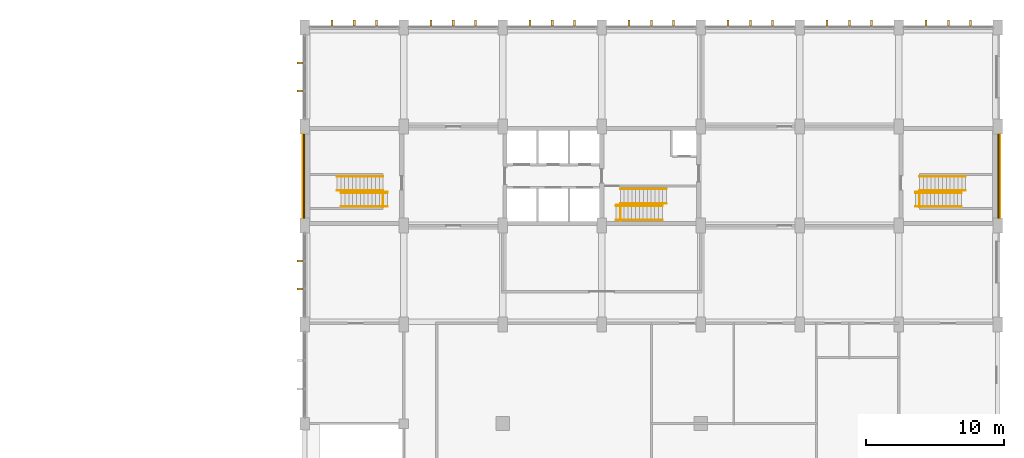
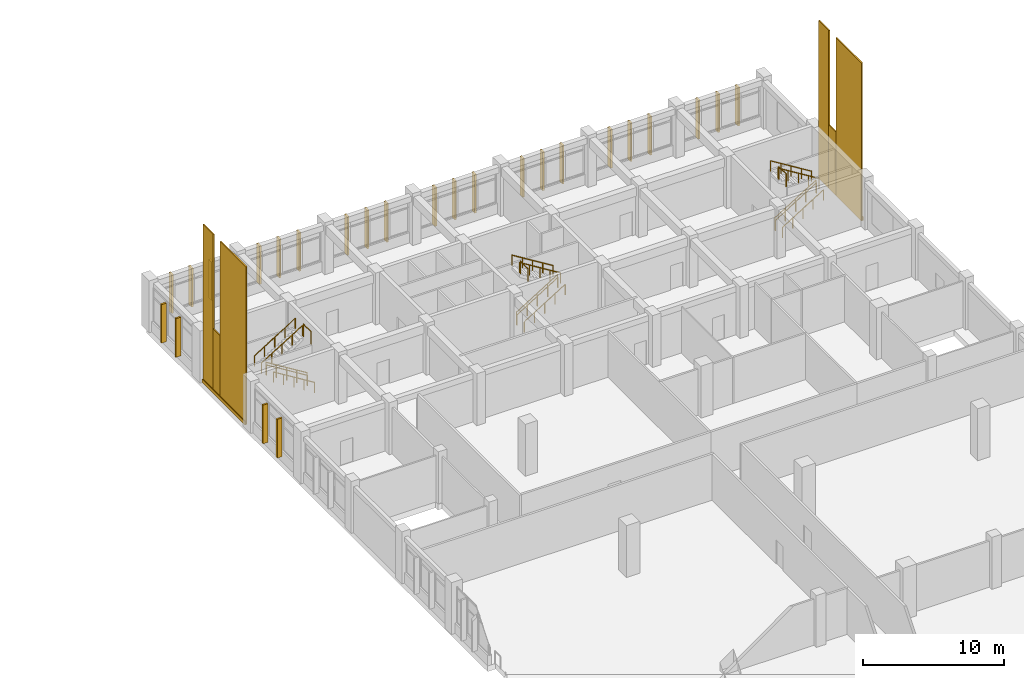
# One storey, part 52 of 52: 33 coverings, 18 railings.
"""IFC4 building model written with IfcOpenShell, lengths in metres."""

import ifcopenshell
import ifcopenshell.guid

model = None  # the IFC model being written
_history = None  # IfcOwnerHistory: only IFC2X3 demands one
_inside = {}  # id of a spatial element -> (the spatial element, [elements in it])
_under = {}  # id of a project, library or spatial element -> (it, [spatial elements below it])
_declared = {}  # id of a project -> (the project, [libraries it declares])
_typed = {}  # id of a type object -> (the type object, [elements of that type])
_made_of = {}  # id of a material, layer set ... -> (it, [elements and type objects made of it])


def new_model(schema):
    """Start an empty IFC model of exactly this schema.

    Asked for "IFC4X3", IfcOpenShell would pick the latest addendum, in which some entities
    have other attributes; the version numbers below select the first issue.
    IFC2X3 requires an IfcOwnerHistory on every rooted entity: one is made here for all.
    """
    global model, _history
    if schema == "IFC4X3":
        model = ifcopenshell.file(schema_version=(4, 3, 0, 0))
    else:
        model = ifcopenshell.file(schema=schema)
    _inside.clear()
    _under.clear()
    _declared.clear()
    _typed.clear()
    _made_of.clear()
    _history = None
    if model.schema == "IFC2X3":
        org = make("IfcOrganization", Name="unknown")
        user = make(
            "IfcPersonAndOrganization",
            ThePerson=make("IfcPerson", FamilyName="unknown"),
            TheOrganization=org,
        )
        app = make(
            "IfcApplication",
            ApplicationDeveloper=org,
            Version="unknown",
            ApplicationFullName="unknown",
            ApplicationIdentifier="unknown",
        )
        _history = make(
            "IfcOwnerHistory",
            OwningUser=user,
            OwningApplication=app,
            ChangeAction="ADDED",
            CreationDate=0,
        )
    return model


def make(cls, **values):
    """One entity of the class cls with the attributes given. An attribute that is None is left unset."""
    return model.create_entity(
        cls, **{name: value for name, value in values.items() if value is not None}
    )


def rooted(cls, **values):
    """An entity with a GlobalId (a new one), such as an element, a storey or a relation."""
    return make(cls, GlobalId=ifcopenshell.guid.new(), OwnerHistory=_history, **values)


def si_unit(unit_type, name, prefix=None):
    """IfcSIUnit, for example si_unit("LENGTHUNIT", "METRE", prefix="MILLI")."""
    return make("IfcSIUnit", UnitType=unit_type, Prefix=prefix, Name=name)


def assignment(units):
    """IfcUnitAssignment: the units of a project."""
    return None if units is None else make("IfcUnitAssignment", Units=units)


def point(xyz):
    """IfcCartesianPoint."""
    return None if xyz is None else make("IfcCartesianPoint", Coordinates=xyz)


def direction(xyz):
    """IfcDirection."""
    return None if xyz is None else make("IfcDirection", DirectionRatios=xyz)


def frame(location, z_axis=None, x_axis=None):
    """IfcAxis2Placement3D, a coordinate frame: its origin and axes. An axis left out is left unset."""
    return make(
        "IfcAxis2Placement3D",
        Location=point(location),
        Axis=direction(z_axis),
        RefDirection=direction(x_axis),
    )


def frame_2d(location, x_axis=None):
    """IfcAxis2Placement2D, a coordinate frame in the plane: its origin and x axis."""
    return make(
        "IfcAxis2Placement2D", Location=point(location), RefDirection=direction(x_axis)
    )


def origin():
    """The frame at (0, 0, 0) with its axes left unset."""
    return frame((0.0, 0.0, 0.0))


def origin_2d():
    """The frame at (0, 0) in the plane with its x axis left unset."""
    return frame_2d((0.0, 0.0))


def place(relative_to, where):
    """IfcLocalPlacement: puts the frame where relative to a parent placement (None: the world)."""
    return make(
        "IfcLocalPlacement", PlacementRelTo=relative_to, RelativePlacement=where
    )


def context(
    kind, dimensions, precision=None, world=None, true_north=None, identifier=None
):
    """IfcGeometricRepresentationContext, for example the 3D "Model" context."""
    return make(
        "IfcGeometricRepresentationContext",
        ContextIdentifier=identifier,
        ContextType=kind,
        CoordinateSpaceDimension=dimensions,
        Precision=precision,
        WorldCoordinateSystem=world,
        TrueNorth=true_north,
    )


def subcontext(parent, identifier, kind, view, scale=None):
    """IfcGeometricRepresentationSubContext, for example "Body" below "Model"."""
    return make(
        "IfcGeometricRepresentationSubContext",
        ContextIdentifier=identifier,
        ContextType=kind,
        ParentContext=parent,
        TargetScale=scale,
        TargetView=view,
    )


def project(units=None, contexts=None):
    """IfcProject with its units and contexts."""
    return rooted(
        "IfcProject",
        Name="project",
        RepresentationContexts=contexts,
        UnitsInContext=assignment(units),
    )


def spatial(cls, under=None, at=None, **own):
    """A site, building, storey or space (cls), placed at a placement, below another one or the project."""
    s = rooted(cls, ObjectPlacement=at, **own)
    if under is not None:
        _under.setdefault(under.id(), (under, []))[1].append(s)
    return s


def polyline(points):
    """IfcPolyline through the points."""
    return make("IfcPolyline", Points=[point(p) for p in points])


def profile(cls, at=None, kind="AREA", **sizes):
    """A parametric profile (cls). Its sizes go by their IFC names, for example OverallWidth=200.0."""
    return make(cls, ProfileType=kind, Position=at, **sizes)


def rectangle(**sizes):
    """IfcRectangleProfileDef."""
    return profile("IfcRectangleProfileDef", **sizes)


def circle(**sizes):
    """IfcCircleProfileDef."""
    return profile("IfcCircleProfileDef", **sizes)


def outline(outer, holes=None, kind="AREA"):
    """IfcArbitraryClosedProfileDef: a profile drawn as a closed curve; with holes, ...WithVoids."""
    if holes is None:
        return make("IfcArbitraryClosedProfileDef", ProfileType=kind, OuterCurve=outer)
    return make(
        "IfcArbitraryProfileDefWithVoids",
        ProfileType=kind,
        OuterCurve=outer,
        InnerCurves=holes,
    )


def extrude(swept, where, along, depth):
    """IfcExtrudedAreaSolid: the profile swept, set in the frame where, extruded along a direction by depth."""
    return make(
        "IfcExtrudedAreaSolid",
        SweptArea=swept,
        Position=where,
        ExtrudedDirection=direction(along),
        Depth=depth,
    )


def shape(context_of_items, identifier, shape_type, items):
    """IfcShapeRepresentation: the items that make up one representation, for example the "Body"."""
    return make(
        "IfcShapeRepresentation",
        ContextOfItems=context_of_items,
        RepresentationIdentifier=identifier,
        RepresentationType=shape_type,
        Items=items,
    )


def material(Name=None, Category=None):
    """IfcMaterial."""
    return make("IfcMaterial", Name=Name, Category=Category)


def layer(
    of_material, thickness, ventilated=None, Name=None, Category=None, Priority=None
):
    """IfcMaterialLayer: one layer of a wall or slab, of a material (None: an air gap)."""
    return make(
        "IfcMaterialLayer",
        Material=of_material,
        LayerThickness=thickness,
        IsVentilated=ventilated,
        Name=Name,
        Category=Category,
        Priority=Priority,
    )


def layer_set(layers, Name=None):
    """IfcMaterialLayerSet."""
    return make("IfcMaterialLayerSet", MaterialLayers=layers, LayerSetName=Name)


def made_of(thing, what):
    """Note that an element or type object is made of a material, layer set ...; save() writes the relation."""
    if what is not None:
        _made_of.setdefault(what.id(), (what, []))[1].append(thing)
    return thing


def type_object(cls, material=None, **own):
    """A type object (cls), such as IfcWallType, which elements share."""
    return made_of(rooted(cls, **own), material)


def element(
    cls,
    number,
    at=None,
    inside=None,
    cuts=None,
    type_object=None,
    material=None,
    context=None,
    identifier="Body",
    shape_type=None,
    held_by="IfcProductDefinitionShape",
    body=None,
    shapes=None,
    **own,
):
    """One element of the class cls, such as IfcWall. Its Tag is "e" and its number.

    at: its placement. inside: the storey or other place that contains it. cuts: it is an
    opening in that element (IfcRelVoidsElement). A single representation is given by context,
    identifier, shape_type and body (its items); several are given by shapes. held_by: the class
    of the entity that holds the representations. save() writes the other relations.
    """
    e = rooted(cls, Tag="e%d" % number, ObjectPlacement=at, **own)
    if body is not None:
        shapes = [shape(context, identifier, shape_type, body)]
    if shapes is not None:
        e.Representation = make(held_by, Representations=shapes)
    if inside is not None:
        _inside.setdefault(inside.id(), (inside, []))[1].append(e)
    if cuts is not None:
        rooted(
            "IfcRelVoidsElement", RelatingBuildingElement=cuts, RelatedOpeningElement=e
        )
    if type_object is not None:
        _typed.setdefault(type_object.id(), (type_object, []))[1].append(e)
    return made_of(e, material)


def aggregate(whole, parts):
    """IfcRelAggregates: a whole, such as a stair, and the parts it consists of."""
    return rooted("IfcRelAggregates", RelatingObject=whole, RelatedObjects=parts)


def save(model, path):
    """Write the relations noted so far, then the file.

    IfcRelAggregates (storeys below a building ...), IfcRelContainedInSpatialStructure (elements
    in a storey), IfcRelDefinesByType, IfcRelAssociatesMaterial and IfcRelDeclares: one each for
    every whole, place, type object, material and project.
    """
    for whole, parts in _under.values():
        aggregate(whole, parts)
    for where, things in _inside.values():
        rooted(
            "IfcRelContainedInSpatialStructure",
            RelatedElements=things,
            RelatingStructure=where,
        )
    for kind, things in _typed.values():
        rooted("IfcRelDefinesByType", RelatedObjects=things, RelatingType=kind)
    for what, things in _made_of.values():
        rooted("IfcRelAssociatesMaterial", RelatedObjects=things, RelatingMaterial=what)
    for by, libraries in _declared.values():
        rooted("IfcRelDeclares", RelatingContext=by, RelatedDefinitions=libraries)
    model.write(path)


model = new_model("IFC4")

# Units and contexts
model_context = context("Model", 3, precision=1e-05, world=origin(), true_north=direction((0.0, 1.0)))
body_context = subcontext(model_context, "Body", "Model", "MODEL_VIEW")
ifc_project = project(units=[si_unit("LENGTHUNIT", "METRE"), si_unit("AREAUNIT", "SQUARE_METRE"), si_unit("VOLUMEUNIT", "CUBIC_METRE"), si_unit("PLANEANGLEUNIT", "RADIAN"), si_unit("MASSUNIT", "GRAM", prefix="KILO")], contexts=[model_context])

# Site, building, storey
site_placement = place(None, origin())
site = spatial("IfcSite", under=ifc_project, at=site_placement, CompositionType="ELEMENT")
building_placement = place(site_placement, origin())
building = spatial("IfcBuilding", under=site, at=building_placement, Name="Vermilion Court Aquatics Centre", CompositionType="ELEMENT")
storey_placement = place(building_placement, frame((0.0, 0.0, 12.0)))
storey = spatial("IfcBuildingStorey", under=building, at=storey_placement, Name="L02", CompositionType="ELEMENT", Elevation=12.0)

# Coverings
ifc_material_1 = material(Name="Brick masonry", Category="masonry")
ifc_layer_1 = layer(ifc_material_1, 0.06005859375)
ifc_layer_set_1 = layer_set([ifc_layer_1], Name="North block band course 60")
covering_type_1 = type_object("IfcCoveringType", Name="North block band course 60", PredefinedType="CLADDING", material=ifc_layer_set_1)
covering_1_placement = place(storey_placement, origin())
element("IfcCovering", 1, at=covering_1_placement, inside=storey, type_object=covering_type_1, Name="North block band course west end L02", PredefinedType="CLADDING", context=body_context, shape_type="SweptSolid", body=[
    extrude(outline(polyline([(143.837890625, 101.35009765625), (143.89794921875, 101.35009765625), (143.89794921875, 107.449951171875), (143.837890625, 107.449951171875), (143.837890625, 101.35009765625)])), origin(), (0.0, 0.0, 1.0), 0.300048828125),
])
covering_2_placement = place(storey_placement, origin())
element("IfcCovering", 2, at=covering_2_placement, inside=storey, type_object=covering_type_1, Name="North block band course east end L02", PredefinedType="CLADDING", context=body_context, shape_type="SweptSolid", body=[
    extrude(outline(polyline([(194.501953125, 101.35009765625), (194.56201171875, 101.35009765625), (194.56201171875, 107.449951171875), (194.501953125, 107.449951171875), (194.501953125, 101.35009765625)])), origin(), (0.0, 0.0, 1.0), 0.300048828125),
])
ifc_material_2 = material(Name="Brick masonry", Category="masonry")
ifc_layer_2 = layer(ifc_material_2, 0.10205078125)
ifc_layer_set_2 = layer_set([ifc_layer_2], Name="North block brick facing 102")
covering_type_2 = type_object("IfcCoveringType", Name="North block brick facing 102", PredefinedType="CLADDING", material=ifc_layer_set_2)
covering_3_placement = place(storey_placement, origin())
element("IfcCovering", 3, at=covering_3_placement, inside=storey, type_object=covering_type_2, Name="North block brick facing west end 5", PredefinedType="CLADDING", context=body_context, shape_type="SweptSolid", body=[
    extrude(outline(polyline([(143.89794921875, 101.35009765625), (144.0, 101.35009765625), (144.0, 105.0), (143.89794921875, 105.0), (143.89794921875, 101.35009765625)])), origin(), (0.0, 0.0, 1.0), 13.699951171875),
])
covering_4_placement = place(storey_placement, origin())
element("IfcCovering", 4, at=covering_4_placement, inside=storey, type_object=covering_type_2, Name="North block brick facing west end 6", PredefinedType="CLADDING", context=body_context, shape_type="SweptSolid", body=[
    extrude(outline(polyline([(143.89794921875, 105.0), (144.0, 105.0), (144.0, 106.0), (143.89794921875, 106.0), (143.89794921875, 105.0)])), origin(), (0.0, 0.0, 1.0), 5.5),
])
covering_5_placement = place(storey_placement, origin())
element("IfcCovering", 5, at=covering_5_placement, inside=storey, type_object=covering_type_2, Name="North block brick facing west end 8", PredefinedType="CLADDING", context=body_context, shape_type="SweptSolid", body=[
    extrude(outline(polyline([(143.89794921875, 106.0), (144.0, 106.0), (144.0, 107.449951171875), (143.89794921875, 107.449951171875), (143.89794921875, 106.0)])), origin(), (0.0, 0.0, 1.0), 13.699951171875),
])
covering_6_placement = place(storey_placement, origin())
element("IfcCovering", 6, at=covering_6_placement, inside=storey, type_object=covering_type_2, Name="North block brick facing east end 11", PredefinedType="CLADDING", context=body_context, shape_type="SweptSolid", body=[
    extrude(outline(polyline([(194.39990234375, 101.35009765625), (194.501953125, 101.35009765625), (194.501953125, 105.0), (194.39990234375, 105.0), (194.39990234375, 101.35009765625)])), origin(), (0.0, 0.0, 1.0), 13.699951171875),
])
covering_7_placement = place(storey_placement, origin())
element("IfcCovering", 7, at=covering_7_placement, inside=storey, type_object=covering_type_2, Name="North block brick facing east end 12", PredefinedType="CLADDING", context=body_context, shape_type="SweptSolid", body=[
    extrude(outline(polyline([(194.39990234375, 105.0), (194.501953125, 105.0), (194.501953125, 106.0), (194.39990234375, 106.0), (194.39990234375, 105.0)])), origin(), (0.0, 0.0, 1.0), 5.5),
])
covering_8_placement = place(storey_placement, origin())
element("IfcCovering", 8, at=covering_8_placement, inside=storey, type_object=covering_type_2, Name="North block brick facing east end 14", PredefinedType="CLADDING", context=body_context, shape_type="SweptSolid", body=[
    extrude(outline(polyline([(194.39990234375, 106.0), (194.501953125, 106.0), (194.501953125, 107.449951171875), (194.39990234375, 107.449951171875), (194.39990234375, 106.0)])), origin(), (0.0, 0.0, 1.0), 13.699951171875),
])

# Railings
ifc_material_3 = material(Name="Steel ASTM A992 Grade 50", Category="steel")
railing_type_1 = type_object("IfcRailingType", Name="North block stair guard 1100", PredefinedType="GUARDRAIL", material=ifc_material_3)
railing_1_placement = place(storey_placement, frame((150.0, 103.235107421875, 0.173095703125)))
element("IfcRailing", 9, at=railing_1_placement, inside=storey, type_object=railing_type_1, Name="Stair 1 guard well L02", PredefinedType="GUARDRAIL", context=body_context, shape_type="SweptSolid", body=[
    extrude(circle(Radius=0.02392578125, at=origin_2d()), frame((0.0, 0.0, 1.076171875), z_axis=(-0.850623216509, 0.0, 0.525775754039), x_axis=(0.0, -1.0, 0.0)), (0.0, 0.0, 1.0), 3.9501953125),
    extrude(circle(Radius=0.02099609375, at=origin_2d()), origin(), (0.0, 0.0, 1.0), 1.052001953125),
    extrude(circle(Radius=0.02099609375, at=origin_2d()), frame((-0.840087890625, 0.0, 0.519287109375)), (0.0, 0.0, 1.0), 1.052001953125),
    extrude(circle(Radius=0.02099609375, at=origin_2d()), frame((-1.68017578125, 0.0, 1.03857421875)), (0.0, 0.0, 1.0), 1.052001953125),
    extrude(circle(Radius=0.02099609375, at=origin_2d()), frame((-2.52001953125, 0.0, 1.5576171875)), (0.0, 0.0, 1.0), 1.052001953125),
    extrude(circle(Radius=0.02099609375, at=origin_2d()), frame((-3.360107421875, 0.0, 2.076904296875)), (0.0, 0.0, 1.0), 1.052001953125),
])
railing_2_placement = place(storey_placement, frame((149.699951171875, 103.22998046875, 4.5)))
element("IfcRailing", 10, at=railing_2_placement, inside=storey, type_object=railing_type_1, Name="Stair 1 floor edge guard L02", PredefinedType="GUARDRAIL", context=body_context, shape_type="SweptSolid", body=[
    extrude(circle(Radius=0.02392578125, at=origin_2d()), frame((0.0, 0.0, 1.076171875), z_axis=(0.0, -1.0, 0.0), x_axis=(1.0, 0.0, 0.0)), (0.0, 0.0, 1.0), 1.070068359375),
    extrude(circle(Radius=0.02099609375, at=origin_2d()), origin(), (0.0, 0.0, 1.0), 1.052001953125),
    extrude(circle(Radius=0.02099609375, at=origin_2d()), frame((0.0, -1.070068359375, 0.0)), (0.0, 0.0, 1.0), 1.052001953125),
])
railing_3_placement = place(storey_placement, frame((188.39990234375, 103.235107421875, 0.173095703125)))
element("IfcRailing", 11, at=railing_3_placement, inside=storey, type_object=railing_type_1, Name="Stair 2 guard well L02", PredefinedType="GUARDRAIL", context=body_context, shape_type="SweptSolid", body=[
    extrude(circle(Radius=0.02392578125, at=origin_2d()), frame((0.0, 0.0, 1.076171875), z_axis=(0.850623216509, 0.0, 0.525775754039), x_axis=(0.0, 1.0, 0.0)), (0.0, 0.0, 1.0), 3.9501953125),
    extrude(circle(Radius=0.02099609375, at=origin_2d()), origin(), (0.0, 0.0, 1.0), 1.052001953125),
    extrude(circle(Radius=0.02099609375, at=origin_2d()), frame((0.840087890625, 0.0, 0.519287109375)), (0.0, 0.0, 1.0), 1.052001953125),
    extrude(circle(Radius=0.02099609375, at=origin_2d()), frame((1.68017578125, 0.0, 1.03857421875)), (0.0, 0.0, 1.0), 1.052001953125),
    extrude(circle(Radius=0.02099609375, at=origin_2d()), frame((2.52001953125, 0.0, 1.5576171875)), (0.0, 0.0, 1.0), 1.052001953125),
    extrude(circle(Radius=0.02099609375, at=origin_2d()), frame((3.360107421875, 0.0, 2.076904296875)), (0.0, 0.0, 1.0), 1.052001953125),
])
railing_4_placement = place(storey_placement, frame((188.699951171875, 103.22998046875, 4.5)))
element("IfcRailing", 12, at=railing_4_placement, inside=storey, type_object=railing_type_1, Name="Stair 2 floor edge guard L02", PredefinedType="GUARDRAIL", context=body_context, shape_type="SweptSolid", body=[
    extrude(circle(Radius=0.02392578125, at=origin_2d()), frame((0.0, 0.0, 1.076171875), z_axis=(0.0, -1.0, 0.0), x_axis=(1.0, 0.0, 0.0)), (0.0, 0.0, 1.0), 1.070068359375),
    extrude(circle(Radius=0.02099609375, at=origin_2d()), origin(), (0.0, 0.0, 1.0), 1.052001953125),
    extrude(circle(Radius=0.02099609375, at=origin_2d()), frame((0.0, -1.070068359375, 0.0)), (0.0, 0.0, 1.0), 1.052001953125),
])
railing_5_placement = place(storey_placement, frame((166.64990234375, 102.27490234375, 0.173095703125)))
element("IfcRailing", 13, at=railing_5_placement, inside=storey, type_object=railing_type_1, Name="Stair 3 guard well L02", PredefinedType="GUARDRAIL", context=body_context, shape_type="SweptSolid", body=[
    extrude(circle(Radius=0.02392578125, at=origin_2d()), frame((0.0, 0.0, 1.076171875), z_axis=(0.850623216509, 0.0, 0.525775754039), x_axis=(0.0, 1.0, 0.0)), (0.0, 0.0, 1.0), 3.9501953125),
    extrude(circle(Radius=0.02099609375, at=origin_2d()), origin(), (0.0, 0.0, 1.0), 1.052001953125),
    extrude(circle(Radius=0.02099609375, at=origin_2d()), frame((0.840087890625, 0.0, 0.519287109375)), (0.0, 0.0, 1.0), 1.052001953125),
    extrude(circle(Radius=0.02099609375, at=origin_2d()), frame((1.68017578125, 0.0, 1.03857421875)), (0.0, 0.0, 1.0), 1.052001953125),
    extrude(circle(Radius=0.02099609375, at=origin_2d()), frame((2.52001953125, 0.0, 1.5576171875)), (0.0, 0.0, 1.0), 1.052001953125),
    extrude(circle(Radius=0.02099609375, at=origin_2d()), frame((3.360107421875, 0.0, 2.076904296875)), (0.0, 0.0, 1.0), 1.052001953125),
])
railing_6_placement = place(storey_placement, frame((166.949951171875, 102.27001953125, 4.5)))
element("IfcRailing", 14, at=railing_6_placement, inside=storey, type_object=railing_type_1, Name="Stair 3 floor edge guard L02", PredefinedType="GUARDRAIL", context=body_context, shape_type="SweptSolid", body=[
    extrude(circle(Radius=0.02392578125, at=origin_2d()), frame((0.0, 0.0, 1.076171875), z_axis=(0.0, -1.0, 0.0), x_axis=(1.0, 0.0, 0.0)), (0.0, 0.0, 1.0), 1.090087890625),
    extrude(circle(Radius=0.02099609375, at=origin_2d()), origin(), (0.0, 0.0, 1.0), 1.052001953125),
    extrude(circle(Radius=0.02099609375, at=origin_2d()), frame((0.0, -1.090087890625, 0.0)), (0.0, 0.0, 1.0), 1.052001953125),
])
ifc_material_4 = material(Name="Steel ASTM A992 Grade 50", Category="steel")
railing_type_2 = type_object("IfcRailingType", Name="North block stair handrail 900", PredefinedType="HANDRAIL", material=ifc_material_4)
for number, where, name in (
    (15, (150.0, 102.179931640625, 0.173095703125), "Stair 1 handrail wall L02"),
    (16, (150.0, 103.18505859375, 0.173095703125), "Stair 1 handrail well L02"),
):
    element("IfcRailing", number, at=place(storey_placement, frame(where)), inside=storey, type_object=railing_type_2, Name=name, PredefinedType="HANDRAIL", context=body_context, shape_type="SweptSolid", body=[
        extrude(circle(Radius=0.02392578125, at=origin_2d()), frame((0.0, 0.0, 0.8759765625), z_axis=(-0.850623216509, 0.0, 0.525775754039), x_axis=(0.0, -1.0, 0.0)), (0.0, 0.0, 1.0), 3.9501953125),
        extrude(circle(Radius=0.02099609375, at=origin_2d()), origin(), (0.0, 0.0, 1.0), 0.851806640625),
        extrude(circle(Radius=0.02099609375, at=origin_2d()), frame((-0.840087890625, 0.0, 0.519287109375)), (0.0, 0.0, 1.0), 0.851806640625),
        extrude(circle(Radius=0.02099609375, at=origin_2d()), frame((-1.68017578125, 0.0, 1.03857421875)), (0.0, 0.0, 1.0), 0.851806640625),
        extrude(circle(Radius=0.02099609375, at=origin_2d()), frame((-2.52001953125, 0.0, 1.5576171875)), (0.0, 0.0, 1.0), 0.851806640625),
        extrude(circle(Radius=0.02099609375, at=origin_2d()), frame((-3.360107421875, 0.0, 2.076904296875)), (0.0, 0.0, 1.0), 0.851806640625),
    ])
for number, where, name in (
    (17, (146.340087890625, 104.3798828125, 2.423095703125), "Stair 1 handrail wall L02"),
    (18, (146.340087890625, 103.35009765625, 2.423095703125), "Stair 1 handrail well L02"),
):
    element("IfcRailing", number, at=place(storey_placement, frame(where)), inside=storey, type_object=railing_type_2, Name=name, PredefinedType="HANDRAIL", context=body_context, shape_type="SweptSolid", body=[
        extrude(circle(Radius=0.02392578125, at=origin_2d()), frame((0.0, 0.0, 0.8759765625), z_axis=(0.850606129759, 0.0, 0.525803396734), x_axis=(0.0, 1.0, 0.0)), (0.0, 0.0, 1.0), 3.949951171875),
        extrude(circle(Radius=0.02099609375, at=origin_2d()), origin(), (0.0, 0.0, 1.0), 0.851806640625),
        extrude(circle(Radius=0.02099609375, at=origin_2d()), frame((0.83984375, 0.0, 0.519287109375)), (0.0, 0.0, 1.0), 0.851806640625),
        extrude(circle(Radius=0.02099609375, at=origin_2d()), frame((1.679931640625, 0.0, 1.03857421875)), (0.0, 0.0, 1.0), 0.851806640625),
        extrude(circle(Radius=0.02099609375, at=origin_2d()), frame((2.52001953125, 0.0, 1.5576171875)), (0.0, 0.0, 1.0), 0.851806640625),
        extrude(circle(Radius=0.02099609375, at=origin_2d()), frame((3.35986328125, 0.0, 2.076904296875)), (0.0, 0.0, 1.0), 0.851806640625),
    ])
for number, where, name in (
    (19, (188.39990234375, 102.179931640625, 0.173095703125), "Stair 2 handrail wall L02"),
    (20, (188.39990234375, 103.18505859375, 0.173095703125), "Stair 2 handrail well L02"),
):
    element("IfcRailing", number, at=place(storey_placement, frame(where)), inside=storey, type_object=railing_type_2, Name=name, PredefinedType="HANDRAIL", context=body_context, shape_type="SweptSolid", body=[
        extrude(circle(Radius=0.02392578125, at=origin_2d()), frame((0.0, 0.0, 0.8759765625), z_axis=(0.850623216509, 0.0, 0.525775754039), x_axis=(0.0, 1.0, 0.0)), (0.0, 0.0, 1.0), 3.9501953125),
        extrude(circle(Radius=0.02099609375, at=origin_2d()), origin(), (0.0, 0.0, 1.0), 0.851806640625),
        extrude(circle(Radius=0.02099609375, at=origin_2d()), frame((0.840087890625, 0.0, 0.519287109375)), (0.0, 0.0, 1.0), 0.851806640625),
        extrude(circle(Radius=0.02099609375, at=origin_2d()), frame((1.68017578125, 0.0, 1.03857421875)), (0.0, 0.0, 1.0), 0.851806640625),
        extrude(circle(Radius=0.02099609375, at=origin_2d()), frame((2.52001953125, 0.0, 1.5576171875)), (0.0, 0.0, 1.0), 0.851806640625),
        extrude(circle(Radius=0.02099609375, at=origin_2d()), frame((3.360107421875, 0.0, 2.076904296875)), (0.0, 0.0, 1.0), 0.851806640625),
    ])
for number, where, name in (
    (21, (192.06005859375, 104.3798828125, 2.423095703125), "Stair 2 handrail wall L02"),
    (22, (192.06005859375, 103.35009765625, 2.423095703125), "Stair 2 handrail well L02"),
):
    element("IfcRailing", number, at=place(storey_placement, frame(where)), inside=storey, type_object=railing_type_2, Name=name, PredefinedType="HANDRAIL", context=body_context, shape_type="SweptSolid", body=[
        extrude(circle(Radius=0.02392578125, at=origin_2d()), frame((0.0, 0.0, 0.8759765625), z_axis=(-0.850623216509, 0.0, 0.525775754039), x_axis=(0.0, -1.0, 0.0)), (0.0, 0.0, 1.0), 3.9501953125),
        extrude(circle(Radius=0.02099609375, at=origin_2d()), origin(), (0.0, 0.0, 1.0), 0.851806640625),
        extrude(circle(Radius=0.02099609375, at=origin_2d()), frame((-0.840087890625, 0.0, 0.519287109375)), (0.0, 0.0, 1.0), 0.851806640625),
        extrude(circle(Radius=0.02099609375, at=origin_2d()), frame((-1.68017578125, 0.0, 1.03857421875)), (0.0, 0.0, 1.0), 0.851806640625),
        extrude(circle(Radius=0.02099609375, at=origin_2d()), frame((-2.52001953125, 0.0, 1.5576171875)), (0.0, 0.0, 1.0), 0.851806640625),
        extrude(circle(Radius=0.02099609375, at=origin_2d()), frame((-3.360107421875, 0.0, 2.076904296875)), (0.0, 0.0, 1.0), 0.851806640625),
    ])
for number, where, name in (
    (23, (166.64990234375, 101.199951171875, 0.173095703125), "Stair 3 handrail wall L02"),
    (24, (166.64990234375, 102.22509765625, 0.173095703125), "Stair 3 handrail well L02"),
):
    element("IfcRailing", number, at=place(storey_placement, frame(where)), inside=storey, type_object=railing_type_2, Name=name, PredefinedType="HANDRAIL", context=body_context, shape_type="SweptSolid", body=[
        extrude(circle(Radius=0.02392578125, at=origin_2d()), frame((0.0, 0.0, 0.8759765625), z_axis=(0.850623216509, 0.0, 0.525775754039), x_axis=(0.0, 1.0, 0.0)), (0.0, 0.0, 1.0), 3.9501953125),
        extrude(circle(Radius=0.02099609375, at=origin_2d()), origin(), (0.0, 0.0, 1.0), 0.851806640625),
        extrude(circle(Radius=0.02099609375, at=origin_2d()), frame((0.840087890625, 0.0, 0.519287109375)), (0.0, 0.0, 1.0), 0.851806640625),
        extrude(circle(Radius=0.02099609375, at=origin_2d()), frame((1.68017578125, 0.0, 1.03857421875)), (0.0, 0.0, 1.0), 0.851806640625),
        extrude(circle(Radius=0.02099609375, at=origin_2d()), frame((2.52001953125, 0.0, 1.5576171875)), (0.0, 0.0, 1.0), 0.851806640625),
        extrude(circle(Radius=0.02099609375, at=origin_2d()), frame((3.360107421875, 0.0, 2.076904296875)), (0.0, 0.0, 1.0), 0.851806640625),
    ])
for number, where, name in (
    (25, (170.31005859375, 103.449951171875, 2.423095703125), "Stair 3 handrail wall L02"),
    (26, (170.31005859375, 102.39990234375, 2.423095703125), "Stair 3 handrail well L02"),
):
    element("IfcRailing", number, at=place(storey_placement, frame(where)), inside=storey, type_object=railing_type_2, Name=name, PredefinedType="HANDRAIL", context=body_context, shape_type="SweptSolid", body=[
        extrude(circle(Radius=0.02392578125, at=origin_2d()), frame((0.0, 0.0, 0.8759765625), z_axis=(-0.850623216509, 0.0, 0.525775754039), x_axis=(0.0, -1.0, 0.0)), (0.0, 0.0, 1.0), 3.9501953125),
        extrude(circle(Radius=0.02099609375, at=origin_2d()), origin(), (0.0, 0.0, 1.0), 0.851806640625),
        extrude(circle(Radius=0.02099609375, at=origin_2d()), frame((-0.840087890625, 0.0, 0.519287109375)), (0.0, 0.0, 1.0), 0.851806640625),
        extrude(circle(Radius=0.02099609375, at=origin_2d()), frame((-1.68017578125, 0.0, 1.03857421875)), (0.0, 0.0, 1.0), 0.851806640625),
        extrude(circle(Radius=0.02099609375, at=origin_2d()), frame((-2.52001953125, 0.0, 1.5576171875)), (0.0, 0.0, 1.0), 0.851806640625),
        extrude(circle(Radius=0.02099609375, at=origin_2d()), frame((-3.360107421875, 0.0, 2.076904296875)), (0.0, 0.0, 1.0), 0.851806640625),
    ])

# Coverings
ifc_material_5 = material(Name="Terracotta cladding", Category="masonry")
ifc_layer_3 = layer(ifc_material_5, 0.14990234375)
ifc_layer_set_3 = layer_set([ifc_layer_3], Name="Podium terracotta sunscreen fin 150")
covering_type_3 = type_object("IfcCoveringType", Name="Podium terracotta sunscreen fin 150", PredefinedType="CLADDING", material=ifc_layer_set_3)
for number, where, z_axis, x_axis, name in (
    (27, (145.97509765625, 115.35009765625, 0.449951171875), (0.0, 0.0, 1.0), (0.0, 1.0, 0.0), "Sunscreen fin L02"),
    (28, (147.60009765625, 115.35009765625, 0.449951171875), (0.0, 0.0, 1.0), (0.0, 1.0, 0.0), "Sunscreen fin L02"),
    (29, (149.22509765625, 115.35009765625, 0.449951171875), (0.0, 0.0, 1.0), (0.0, 1.0, 0.0), "Sunscreen fin L02"),
    (30, (153.175048828125, 115.35009765625, 0.449951171875), (0.0, 0.0, 1.0), (0.0, 1.0, 0.0), "Sunscreen fin L02"),
    (31, (154.800048828125, 115.35009765625, 0.449951171875), (0.0, 0.0, 1.0), (0.0, 1.0, 0.0), "Sunscreen fin L02"),
    (32, (156.425048828125, 115.35009765625, 0.449951171875), (0.0, 0.0, 1.0), (0.0, 1.0, 0.0), "Sunscreen fin L02"),
    (33, (160.375, 115.35009765625, 0.449951171875), (0.0, 0.0, 1.0), (0.0, 1.0, 0.0), "Sunscreen fin L02"),
    (34, (162.0, 115.35009765625, 0.449951171875), (0.0, 0.0, 1.0), (0.0, 1.0, 0.0), "Sunscreen fin L02"),
    (35, (163.625, 115.35009765625, 0.449951171875), (0.0, 0.0, 1.0), (0.0, 1.0, 0.0), "Sunscreen fin L02"),
    (36, (167.574951171875, 115.35009765625, 0.449951171875), (0.0, 0.0, 1.0), (0.0, 1.0, 0.0), "Sunscreen fin L02"),
    (37, (169.199951171875, 115.35009765625, 0.449951171875), (0.0, 0.0, 1.0), (0.0, 1.0, 0.0), "Sunscreen fin L02"),
    (38, (170.824951171875, 115.35009765625, 0.449951171875), (0.0, 0.0, 1.0), (0.0, 1.0, 0.0), "Sunscreen fin L02"),
    (39, (174.77490234375, 115.35009765625, 0.449951171875), (0.0, 0.0, 1.0), (0.0, 1.0, 0.0), "Sunscreen fin L02"),
    (40, (176.39990234375, 115.35009765625, 0.449951171875), (0.0, 0.0, 1.0), (0.0, 1.0, 0.0), "Sunscreen fin L02"),
    (41, (178.02490234375, 115.35009765625, 0.449951171875), (0.0, 0.0, 1.0), (0.0, 1.0, 0.0), "Sunscreen fin L02"),
    (42, (181.97509765625, 115.35009765625, 0.449951171875), (0.0, 0.0, 1.0), (0.0, 1.0, 0.0), "Sunscreen fin L02"),
    (43, (183.60009765625, 115.35009765625, 0.449951171875), (0.0, 0.0, 1.0), (0.0, 1.0, 0.0), "Sunscreen fin L02"),
    (44, (185.22509765625, 115.35009765625, 0.449951171875), (0.0, 0.0, 1.0), (0.0, 1.0, 0.0), "Sunscreen fin L02"),
    (45, (189.175048828125, 115.35009765625, 0.449951171875), (0.0, 0.0, 1.0), (0.0, 1.0, 0.0), "Sunscreen fin L02"),
    (46, (190.800048828125, 115.35009765625, 0.449951171875), (0.0, 0.0, 1.0), (0.0, 1.0, 0.0), "Sunscreen fin L02"),
    (47, (192.425048828125, 115.35009765625, 0.449951171875), (0.0, 0.0, 1.0), (0.0, 1.0, 0.0), "Sunscreen fin L02"),
):
    element("IfcCovering", number, at=place(storey_placement, frame(where, z_axis=z_axis, x_axis=x_axis)), inside=storey, type_object=covering_type_3, Name=name, PredefinedType="CLADDING", context=body_context, shape_type="SweptSolid", body=[
        extrude(rectangle(XDim=0.39990234375, YDim=0.14990234375, at=frame_2d((0.199951171875, 0.0))), origin(), (0.0, 0.0, 1.0), 3.35009765625),
    ])
for number, where, z_axis, x_axis, name in (
    (48, (143.85009765625, 96.183349609375, 0.449951171875), (0.0, 0.0, 1.0), (-1.0, 0.0, 0.0), "Sunscreen fin L02"),
    (49, (143.85009765625, 98.216796875, 0.449951171875), (0.0, 0.0, 1.0), (-1.0, 0.0, 0.0), "Sunscreen fin L02"),
    (50, (143.85009765625, 110.583251953125, 0.449951171875), (0.0, 0.0, 1.0), (-1.0, 0.0, 0.0), "Sunscreen fin L02"),
    (51, (143.85009765625, 112.61669921875, 0.449951171875), (0.0, 0.0, 1.0), (-1.0, 0.0, 0.0), "Sunscreen fin L02"),
):
    element("IfcCovering", number, at=place(storey_placement, frame(where, z_axis=z_axis, x_axis=x_axis)), inside=storey, type_object=covering_type_3, Name=name, PredefinedType="CLADDING", context=body_context, shape_type="SweptSolid", body=[
        extrude(rectangle(XDim=0.400146484375, YDim=0.14990234375, at=frame_2d((0.2001953125, 0.0))), origin(), (0.0, 0.0, 1.0), 3.35009765625),
    ])

save(model, "model.ifc")
